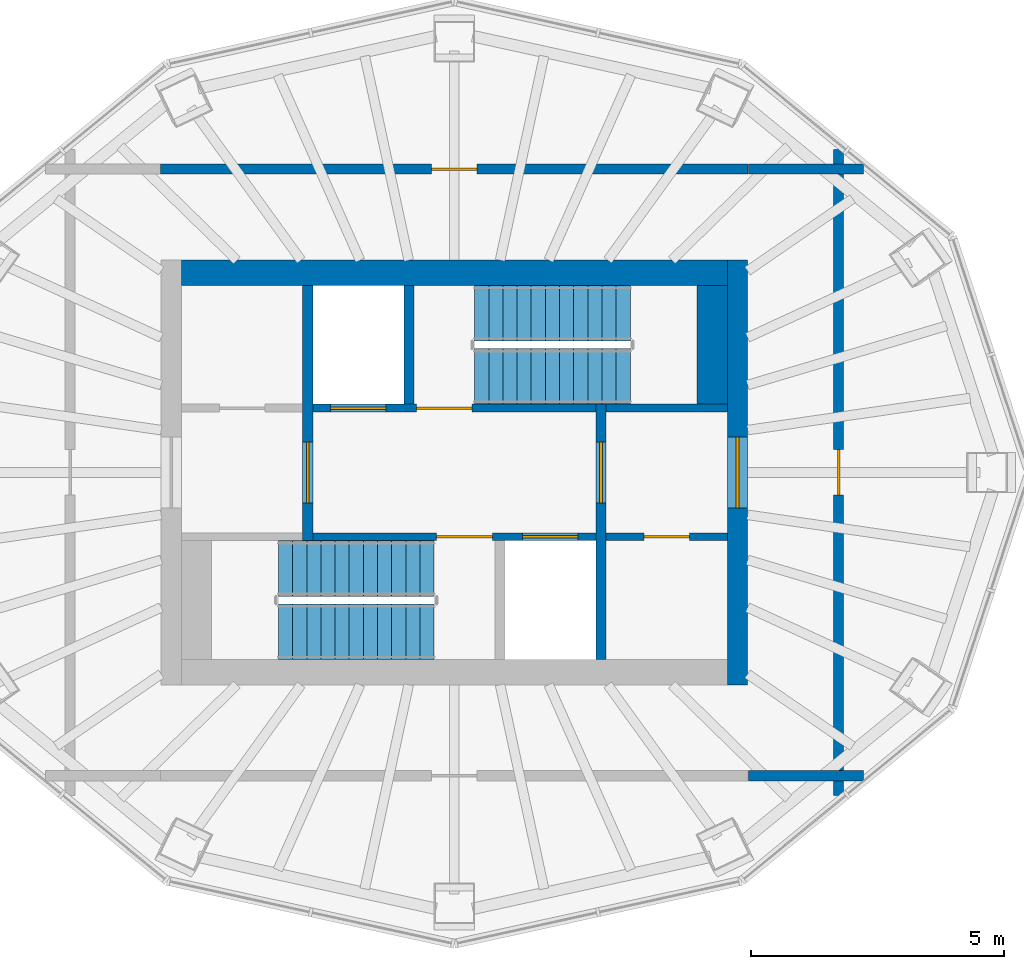
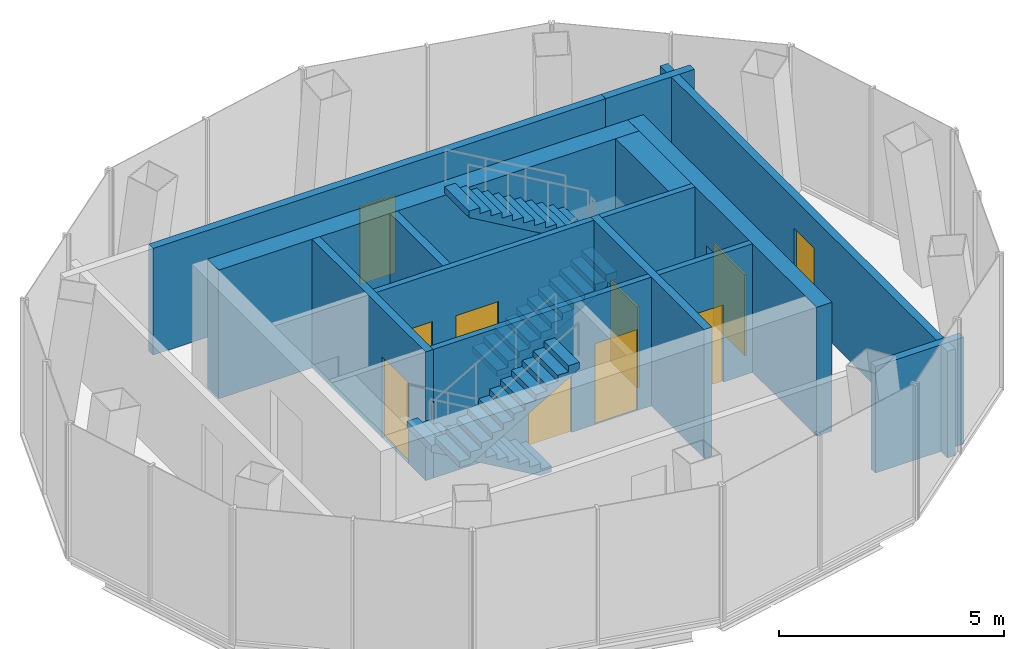
# One storey, part 4 of 5: 14 walls, 10 doors, 4 stair flights, 10 openings, 2 elements without a shape of their own.
"""IFC4 building model written with IfcOpenShell, lengths in metres."""

import ifcopenshell
import ifcopenshell.guid

model = None  # the IFC model being written
_history = None  # IfcOwnerHistory: only IFC2X3 demands one
_inside = {}  # id of a spatial element -> (the spatial element, [elements in it])
_under = {}  # id of a project, library or spatial element -> (it, [spatial elements below it])
_declared = {}  # id of a project -> (the project, [libraries it declares])
_typed = {}  # id of a type object -> (the type object, [elements of that type])
_made_of = {}  # id of a material, layer set ... -> (it, [elements and type objects made of it])


def new_model(schema):
    """Start an empty IFC model of exactly this schema.

    Asked for "IFC4X3", IfcOpenShell would pick the latest addendum, in which some entities
    have other attributes; the version numbers below select the first issue.
    IFC2X3 requires an IfcOwnerHistory on every rooted entity: one is made here for all.
    """
    global model, _history
    if schema == "IFC4X3":
        model = ifcopenshell.file(schema_version=(4, 3, 0, 0))
    else:
        model = ifcopenshell.file(schema=schema)
    _inside.clear()
    _under.clear()
    _declared.clear()
    _typed.clear()
    _made_of.clear()
    _history = None
    if model.schema == "IFC2X3":
        org = make("IfcOrganization", Name="unknown")
        user = make(
            "IfcPersonAndOrganization",
            ThePerson=make("IfcPerson", FamilyName="unknown"),
            TheOrganization=org,
        )
        app = make(
            "IfcApplication",
            ApplicationDeveloper=org,
            Version="unknown",
            ApplicationFullName="unknown",
            ApplicationIdentifier="unknown",
        )
        _history = make(
            "IfcOwnerHistory",
            OwningUser=user,
            OwningApplication=app,
            ChangeAction="ADDED",
            CreationDate=0,
        )
    return model


def make(cls, **values):
    """One entity of the class cls with the attributes given. An attribute that is None is left unset."""
    return model.create_entity(
        cls, **{name: value for name, value in values.items() if value is not None}
    )


def rooted(cls, **values):
    """An entity with a GlobalId (a new one), such as an element, a storey or a relation."""
    return make(cls, GlobalId=ifcopenshell.guid.new(), OwnerHistory=_history, **values)


def si_unit(unit_type, name, prefix=None):
    """IfcSIUnit, for example si_unit("LENGTHUNIT", "METRE", prefix="MILLI")."""
    return make("IfcSIUnit", UnitType=unit_type, Prefix=prefix, Name=name)


def assignment(units):
    """IfcUnitAssignment: the units of a project."""
    return None if units is None else make("IfcUnitAssignment", Units=units)


def point(xyz):
    """IfcCartesianPoint."""
    return None if xyz is None else make("IfcCartesianPoint", Coordinates=xyz)


def direction(xyz):
    """IfcDirection."""
    return None if xyz is None else make("IfcDirection", DirectionRatios=xyz)


def frame(location, z_axis=None, x_axis=None):
    """IfcAxis2Placement3D, a coordinate frame: its origin and axes. An axis left out is left unset."""
    return make(
        "IfcAxis2Placement3D",
        Location=point(location),
        Axis=direction(z_axis),
        RefDirection=direction(x_axis),
    )


def frame_2d(location, x_axis=None):
    """IfcAxis2Placement2D, a coordinate frame in the plane: its origin and x axis."""
    return make(
        "IfcAxis2Placement2D", Location=point(location), RefDirection=direction(x_axis)
    )


def origin():
    """The frame at (0, 0, 0) with its axes left unset."""
    return frame((0.0, 0.0, 0.0))


def place(relative_to, where):
    """IfcLocalPlacement: puts the frame where relative to a parent placement (None: the world)."""
    return make(
        "IfcLocalPlacement", PlacementRelTo=relative_to, RelativePlacement=where
    )


def context(
    kind, dimensions, precision=None, world=None, true_north=None, identifier=None
):
    """IfcGeometricRepresentationContext, for example the 3D "Model" context."""
    return make(
        "IfcGeometricRepresentationContext",
        ContextIdentifier=identifier,
        ContextType=kind,
        CoordinateSpaceDimension=dimensions,
        Precision=precision,
        WorldCoordinateSystem=world,
        TrueNorth=true_north,
    )


def subcontext(parent, identifier, kind, view, scale=None):
    """IfcGeometricRepresentationSubContext, for example "Body" below "Model"."""
    return make(
        "IfcGeometricRepresentationSubContext",
        ContextIdentifier=identifier,
        ContextType=kind,
        ParentContext=parent,
        TargetScale=scale,
        TargetView=view,
    )


def project(units=None, contexts=None):
    """IfcProject with its units and contexts."""
    return rooted(
        "IfcProject",
        Name="project",
        RepresentationContexts=contexts,
        UnitsInContext=assignment(units),
    )


def spatial(cls, under=None, at=None, **own):
    """A site, building, storey or space (cls), placed at a placement, below another one or the project."""
    s = rooted(cls, ObjectPlacement=at, **own)
    if under is not None:
        _under.setdefault(under.id(), (under, []))[1].append(s)
    return s


def polyline(points):
    """IfcPolyline through the points."""
    return make("IfcPolyline", Points=[point(p) for p in points])


def profile(cls, at=None, kind="AREA", **sizes):
    """A parametric profile (cls). Its sizes go by their IFC names, for example OverallWidth=200.0."""
    return make(cls, ProfileType=kind, Position=at, **sizes)


def rectangle(**sizes):
    """IfcRectangleProfileDef."""
    return profile("IfcRectangleProfileDef", **sizes)


def outline(outer, holes=None, kind="AREA"):
    """IfcArbitraryClosedProfileDef: a profile drawn as a closed curve; with holes, ...WithVoids."""
    if holes is None:
        return make("IfcArbitraryClosedProfileDef", ProfileType=kind, OuterCurve=outer)
    return make(
        "IfcArbitraryProfileDefWithVoids",
        ProfileType=kind,
        OuterCurve=outer,
        InnerCurves=holes,
    )


def extrude(swept, where, along, depth):
    """IfcExtrudedAreaSolid: the profile swept, set in the frame where, extruded along a direction by depth."""
    return make(
        "IfcExtrudedAreaSolid",
        SweptArea=swept,
        Position=where,
        ExtrudedDirection=direction(along),
        Depth=depth,
    )


def shape(context_of_items, identifier, shape_type, items):
    """IfcShapeRepresentation: the items that make up one representation, for example the "Body"."""
    return make(
        "IfcShapeRepresentation",
        ContextOfItems=context_of_items,
        RepresentationIdentifier=identifier,
        RepresentationType=shape_type,
        Items=items,
    )


def material(Name=None, Category=None):
    """IfcMaterial."""
    return make("IfcMaterial", Name=Name, Category=Category)


def layer(
    of_material, thickness, ventilated=None, Name=None, Category=None, Priority=None
):
    """IfcMaterialLayer: one layer of a wall or slab, of a material (None: an air gap)."""
    return make(
        "IfcMaterialLayer",
        Material=of_material,
        LayerThickness=thickness,
        IsVentilated=ventilated,
        Name=Name,
        Category=Category,
        Priority=Priority,
    )


def layer_set(layers, Name=None):
    """IfcMaterialLayerSet."""
    return make("IfcMaterialLayerSet", MaterialLayers=layers, LayerSetName=Name)


def made_of(thing, what):
    """Note that an element or type object is made of a material, layer set ...; save() writes the relation."""
    if what is not None:
        _made_of.setdefault(what.id(), (what, []))[1].append(thing)
    return thing


def type_object(cls, material=None, **own):
    """A type object (cls), such as IfcWallType, which elements share."""
    return made_of(rooted(cls, **own), material)


def element(
    cls,
    number,
    at=None,
    inside=None,
    cuts=None,
    type_object=None,
    material=None,
    context=None,
    identifier="Body",
    shape_type=None,
    held_by="IfcProductDefinitionShape",
    body=None,
    shapes=None,
    **own,
):
    """One element of the class cls, such as IfcWall. Its Tag is "e" and its number.

    at: its placement. inside: the storey or other place that contains it. cuts: it is an
    opening in that element (IfcRelVoidsElement). A single representation is given by context,
    identifier, shape_type and body (its items); several are given by shapes. held_by: the class
    of the entity that holds the representations. save() writes the other relations.
    """
    e = rooted(cls, Tag="e%d" % number, ObjectPlacement=at, **own)
    if body is not None:
        shapes = [shape(context, identifier, shape_type, body)]
    if shapes is not None:
        e.Representation = make(held_by, Representations=shapes)
    if inside is not None:
        _inside.setdefault(inside.id(), (inside, []))[1].append(e)
    if cuts is not None:
        rooted(
            "IfcRelVoidsElement", RelatingBuildingElement=cuts, RelatedOpeningElement=e
        )
    if type_object is not None:
        _typed.setdefault(type_object.id(), (type_object, []))[1].append(e)
    return made_of(e, material)


def fill(opening, filler):
    """IfcRelFillsElement: the door or window that sits in an opening."""
    return rooted(
        "IfcRelFillsElement",
        RelatingOpeningElement=opening,
        RelatedBuildingElement=filler,
    )


def aggregate(whole, parts):
    """IfcRelAggregates: a whole, such as a stair, and the parts it consists of."""
    return rooted("IfcRelAggregates", RelatingObject=whole, RelatedObjects=parts)


def save(model, path):
    """Write the relations noted so far, then the file.

    IfcRelAggregates (storeys below a building ...), IfcRelContainedInSpatialStructure (elements
    in a storey), IfcRelDefinesByType, IfcRelAssociatesMaterial and IfcRelDeclares: one each for
    every whole, place, type object, material and project.
    """
    for whole, parts in _under.values():
        aggregate(whole, parts)
    for where, things in _inside.values():
        rooted(
            "IfcRelContainedInSpatialStructure",
            RelatedElements=things,
            RelatingStructure=where,
        )
    for kind, things in _typed.values():
        rooted("IfcRelDefinesByType", RelatedObjects=things, RelatingType=kind)
    for what, things in _made_of.values():
        rooted("IfcRelAssociatesMaterial", RelatedObjects=things, RelatingMaterial=what)
    for by, libraries in _declared.values():
        rooted("IfcRelDeclares", RelatingContext=by, RelatedDefinitions=libraries)
    model.write(path)


model = new_model("IFC4")

# Units and contexts
model_context = context("Model", 3, precision=1e-05, world=origin(), true_north=direction((0.0, 1.0)))
body_context = subcontext(model_context, "Body", "Model", "MODEL_VIEW")
ifc_project = project(units=[si_unit("LENGTHUNIT", "METRE"), si_unit("AREAUNIT", "SQUARE_METRE"), si_unit("VOLUMEUNIT", "CUBIC_METRE"), si_unit("PLANEANGLEUNIT", "RADIAN"), si_unit("MASSUNIT", "GRAM", prefix="KILO")], contexts=[model_context])

# Site, building, storey
site_placement = place(None, origin())
site = spatial("IfcSite", under=ifc_project, at=site_placement, CompositionType="ELEMENT")
building_placement = place(site_placement, origin())
building = spatial("IfcBuilding", under=site, at=building_placement, Name="Siaravel Broadcast Tower", CompositionType="ELEMENT")
storey_placement = place(building_placement, frame((0.0, 0.0, 284.300048828125)))
storey = spatial("IfcBuildingStorey", under=building, at=storey_placement, Name="L69", CompositionType="ELEMENT", Elevation=284.300048828125)

# Wall, opening, door
ifc_material_1 = material(Name="Concrete C60/75", Category="concrete")
ifc_layer_1 = layer(ifc_material_1, 0.39990234375)
ifc_layer_set_1 = layer_set([ifc_layer_1], Name="Concrete C60/75")
wall_type_1 = type_object("IfcWallType", Name="Core wall 400", PredefinedType="SHEAR", material=ifc_layer_set_1)
wall_1_placement = place(storey_placement, frame((5.60009765625, -4.199951171875, 0.0), z_axis=(0.0, 0.0, 1.0), x_axis=(0.0, 1.0, 0.0)))
wall_1 = element("IfcWall", 1, at=wall_1_placement, inside=storey, type_object=wall_type_1, Name="L69 core wall OE", PredefinedType="SHEAR", context=body_context, shape_type="SweptSolid", body=[
    extrude(rectangle(XDim=8.39990234375, YDim=0.39990234375, at=frame_2d((4.199951171875, 0.0))), origin(), (0.0, 0.0, 1.0), 3.5),
])
opening_1_placement = place(wall_1_placement, frame((3.5, 0.0, 0.0)))
opening_1 = element("IfcOpeningElement", 2, at=opening_1_placement, cuts=wall_1, Name="Opening L69-DX-E", PredefinedType="OPENING", context=body_context, shape_type="SweptSolid", body=[
    extrude(rectangle(XDim=1.39990234375, YDim=2.199951171875, at=frame_2d((0.699951171875, 1.10009765625))), frame((0.0, 0.2099609375, 0.0), z_axis=(0.0, -1.0, 0.0), x_axis=(1.0, 0.0, 0.0)), (0.0, 0.0, 1.0), 0.419921875),
])
ifc_material_2 = material(Name="Steel", Category="steel")
door_type_1 = type_object("IfcDoorType", Name="Core exit door 1400", OperationType="DOUBLE_DOOR_SINGLE_SWING", PredefinedType="DOOR", material=ifc_material_2)
door_1_placement = place(opening_1_placement, origin())
door_1 = element("IfcDoor", 3, at=door_1_placement, inside=storey, type_object=door_type_1, Name="L69 door DX-E", OperationType="DOUBLE_DOOR_SINGLE_SWING", OverallHeight=2.199951171875, OverallWidth=1.39990234375, PredefinedType="DOOR", context=body_context, shape_type="SweptSolid", body=[
    extrude(rectangle(XDim=1.39990234375, YDim=2.199951171875, at=frame_2d((0.699951171875, 1.10009765625))), frame((0.0, 0.02490234375, 0.0), z_axis=(0.0, -1.0, 0.0), x_axis=(1.0, 0.0, 0.0)), (0.0, 0.0, 1.0), 0.050048828125),
])
fill(opening_1, door_1)

# Wall
ifc_layer_2 = layer(ifc_material_1, 0.5)
ifc_layer_set_2 = layer_set([ifc_layer_2], Name="Concrete C60/75")
wall_type_2 = type_object("IfcWallType", Name="Core wall 500", PredefinedType="SHEAR", material=ifc_layer_set_2)
wall_2_placement = place(storey_placement, frame((-5.39990234375, 3.949951171875, 0.0), z_axis=(0.0, 0.0, 1.0), x_axis=(1.0, 0.0, 0.0)))
element("IfcWall", 4, at=wall_2_placement, inside=storey, type_object=wall_type_2, Name="L69 core wall ON", PredefinedType="SHEAR", context=body_context, shape_type="SweptSolid", body=[
    extrude(rectangle(XDim=10.7998046875, YDim=0.5, at=frame_2d((5.39990234375, 0.0))), origin(), (0.0, 0.0, 1.0), 3.5),
])

# Wall, opening, door
ifc_material_3 = material(Name="Gypsum board partition", Category="gypsum")
ifc_layer_3 = layer(ifc_material_3, 0.14990234375)
ifc_layer_set_3 = layer_set([ifc_layer_3], Name="Gypsum board partition")
wall_type_3 = type_object("IfcWallType", Name="Corridor wall 150", PredefinedType="PARTITIONING", material=ifc_layer_set_3)
wall_3_placement = place(storey_placement, frame((3.0, -1.27490234375, 0.0), z_axis=(0.0, 0.0, 1.0), x_axis=(1.0, 0.0, 0.0)))
wall_3 = element("IfcWall", 5, at=wall_3_placement, inside=storey, type_object=wall_type_3, Name="L69 core partition CSE", PredefinedType="PARTITIONING", context=body_context, shape_type="SweptSolid", body=[
    extrude(rectangle(XDim=2.39990234375, YDim=0.14990234375, at=frame_2d((1.199951171875, 0.0))), origin(), (0.0, 0.0, 1.0), 3.5),
])
opening_2_placement = place(wall_3_placement, frame((0.75, 0.0, 0.0)))
opening_2 = element("IfcOpeningElement", 6, at=opening_2_placement, cuts=wall_3, Name="Opening L69-DCSE", PredefinedType="OPENING", context=body_context, shape_type="SweptSolid", body=[
    extrude(rectangle(XDim=0.89990234375, YDim=2.10009765625, at=frame_2d((0.449951171875, 1.050048828125))), frame((0.0, 0.0849609375, 0.0), z_axis=(0.0, -1.0, 0.0), x_axis=(1.0, 0.0, 0.0)), (0.0, 0.0, 1.0), 0.169921875),
])
ifc_material_4 = material(Name="Timber veneer", Category="wood")
door_type_2 = type_object("IfcDoorType", Name="Core room door 900", OperationType="SINGLE_SWING_LEFT", PredefinedType="DOOR", material=ifc_material_4)
door_2_placement = place(opening_2_placement, origin())
door_2 = element("IfcDoor", 7, at=door_2_placement, inside=storey, type_object=door_type_2, Name="L69 door DCSE", OperationType="SINGLE_SWING_LEFT", OverallHeight=2.10009765625, OverallWidth=0.89990234375, PredefinedType="DOOR", context=body_context, shape_type="SweptSolid", body=[
    extrude(rectangle(XDim=0.89990234375, YDim=2.10009765625, at=frame_2d((0.449951171875, 1.050048828125))), frame((0.0, 0.02490234375, 0.0), z_axis=(0.0, -1.0, 0.0), x_axis=(1.0, 0.0, 0.0)), (0.0, 0.0, 1.0), 0.050048828125),
])
fill(opening_2, door_2)

ifc_material_5 = material(Name="Concrete blockwork", Category="masonry")
ifc_layer_4 = layer(ifc_material_5, 0.199951171875)
ifc_layer_set_4 = layer_set([ifc_layer_4], Name="Concrete blockwork")
wall_type_4 = type_object("IfcWallType", Name="Plant room wall 200", PredefinedType="PARTITIONING", material=ifc_layer_set_4)
wall_4_placement = place(storey_placement, frame((7.60009765625, -6.393310546875, 0.0), z_axis=(0.0, 0.0, 1.0), x_axis=(0.0, 1.0, 0.0)))
wall_4 = element("IfcWall", 8, at=wall_4_placement, inside=storey, type_object=wall_type_4, Name="L69 partition 2", PredefinedType="PARTITIONING", context=body_context, shape_type="SweptSolid", body=[
    extrude(rectangle(XDim=12.78662109375, YDim=0.199951171875, at=frame_2d((6.393310546875, 0.0))), origin(), (0.0, 0.0, 1.0), 2.89990234375),
])
opening_3_placement = place(wall_4_placement, frame((5.943359375, 0.0, 0.0)))
opening_3 = element("IfcOpeningElement", 9, at=opening_3_placement, cuts=wall_4, Name="Opening L69-002", PredefinedType="OPENING", context=body_context, shape_type="SweptSolid", body=[
    extrude(rectangle(XDim=0.89990234375, YDim=2.10009765625, at=frame_2d((0.449951171875, 1.050048828125))), frame((0.0, 0.10986328125, 0.0), z_axis=(0.0, -1.0, 0.0), x_axis=(1.0, 0.0, 0.0)), (0.0, 0.0, 1.0), 0.219970703125),
])
door_type_3 = type_object("IfcDoorType", Name="Plant room door 900", OperationType="SINGLE_SWING_LEFT", PredefinedType="DOOR", material=ifc_material_2)
door_3_placement = place(opening_3_placement, origin())
door_3 = element("IfcDoor", 10, at=door_3_placement, inside=storey, type_object=door_type_3, Name="L69 door to Broadcast antenna plant room", OperationType="SINGLE_SWING_RIGHT", OverallHeight=2.10009765625, OverallWidth=0.89990234375, PredefinedType="DOOR", context=body_context, shape_type="SweptSolid", body=[
    extrude(rectangle(XDim=0.89990234375, YDim=2.10009765625, at=frame_2d((0.449951171875, 1.050048828125))), frame((0.0, 0.02490234375, 0.0), z_axis=(0.0, -1.0, 0.0), x_axis=(1.0, 0.0, 0.0)), (0.0, 0.0, 1.0), 0.050048828125),
])
fill(opening_3, door_3)

wall_5_placement = place(storey_placement, frame((5.81201171875, 6.0, 0.0), z_axis=(0.0, 0.0, 1.0), x_axis=(-1.0, 0.0, 0.0)))
wall_5 = element("IfcWall", 11, at=wall_5_placement, inside=storey, type_object=wall_type_4, Name="L69 partition 4", PredefinedType="PARTITIONING", context=body_context, shape_type="SweptSolid", body=[
    extrude(rectangle(XDim=11.6240234375, YDim=0.199951171875, at=frame_2d((5.81201171875, 0.0))), origin(), (0.0, 0.0, 1.0), 2.89990234375),
])
opening_4_placement = place(wall_5_placement, frame((5.362060546875, 0.0, 0.0)))
opening_4 = element("IfcOpeningElement", 12, at=opening_4_placement, cuts=wall_5, Name="Opening L69-003", PredefinedType="OPENING", context=body_context, shape_type="SweptSolid", body=[
    extrude(rectangle(XDim=0.89990234375, YDim=2.10009765625, at=frame_2d((0.449951171875, 1.050048828125))), frame((0.0, 0.10986328125, 0.0), z_axis=(0.0, -1.0, 0.0), x_axis=(1.0, 0.0, 0.0)), (0.0, 0.0, 1.0), 0.219970703125),
])
door_4_placement = place(opening_4_placement, origin())
door_4 = element("IfcDoor", 13, at=door_4_placement, inside=storey, type_object=door_type_3, Name="L69 door to Air handling plant room", OperationType="SINGLE_SWING_LEFT", OverallHeight=2.10009765625, OverallWidth=0.89990234375, PredefinedType="DOOR", context=body_context, shape_type="SweptSolid", body=[
    extrude(rectangle(XDim=0.89990234375, YDim=2.10009765625, at=frame_2d((0.449951171875, 1.050048828125))), frame((0.0, 0.02490234375, 0.0), z_axis=(0.0, -1.0, 0.0), x_axis=(1.0, 0.0, 0.0)), (0.0, 0.0, 1.0), 0.050048828125),
])
fill(opening_4, door_4)

# Walls
for number, where, z_axis, x_axis, name in (
    (14, (5.81298828125, -6.0, 0.0), (0.0, 0.0, 1.0), (1.0, 0.0, 0.0), "L69 partition 7"),
    (15, (8.09130859375, 6.0, 0.0), (0.0, 0.0, 1.0), (-1.0, 0.0, 0.0), "L69 partition 8"),
):
    element("IfcWall", number, at=place(storey_placement, frame(where, z_axis=z_axis, x_axis=x_axis)), inside=storey, type_object=wall_type_4, Name=name, PredefinedType="PARTITIONING", context=body_context, shape_type="SweptSolid", body=[
        extrude(rectangle(XDim=2.2783203125, YDim=0.199951171875, at=frame_2d((1.13916015625, 0.0))), origin(), (0.0, 0.0, 1.0), 2.89990234375),
    ])

# Wall, openings, doors
ifc_layer_5 = layer(ifc_material_1, 0.14990234375)
ifc_layer_set_5 = layer_set([ifc_layer_5], Name="Concrete C60/75")
wall_type_5 = type_object("IfcWallType", Name="Shaft wall 150", PredefinedType="SHEAR", material=ifc_layer_set_5)
wall_6_placement = place(storey_placement, frame((-2.800048828125, -1.27490234375, 0.0), z_axis=(0.0, 0.0, 1.0), x_axis=(1.0, 0.0, 0.0)))
wall_6 = element("IfcWall", 16, at=wall_6_placement, inside=storey, type_object=wall_type_5, Name="L69 core wall CSM", PredefinedType="SHEAR", context=body_context, shape_type="SweptSolid", body=[
    extrude(rectangle(XDim=5.60009765625, YDim=0.14990234375, at=frame_2d((2.800048828125, 0.0))), origin(), (0.0, 0.0, 1.0), 3.5),
])
opening_5_placement = place(wall_6_placement, frame((4.14990234375, 0.0, 0.0)))
opening_5 = element("IfcOpeningElement", 17, at=opening_5_placement, cuts=wall_6, Name="Opening LD-FL2-L69", PredefinedType="OPENING", context=body_context, shape_type="SweptSolid", body=[
    extrude(rectangle(XDim=1.10009765625, YDim=2.199951171875, at=frame_2d((0.550048828125, 1.10009765625))), frame((0.0, 0.0849609375, 0.0), z_axis=(0.0, -1.0, 0.0), x_axis=(1.0, 0.0, 0.0)), (0.0, 0.0, 1.0), 0.169921875),
])
opening_6_placement = place(wall_6_placement, frame((2.449951171875, 0.0, 0.0)))
opening_6 = element("IfcOpeningElement", 18, at=opening_6_placement, cuts=wall_6, Name="Opening L69-DS-C2", PredefinedType="OPENING", context=body_context, shape_type="SweptSolid", body=[
    extrude(rectangle(XDim=1.10009765625, YDim=2.14990234375, at=frame_2d((0.550048828125, 1.074951171875))), frame((0.0, 0.0849609375, 0.0), z_axis=(0.0, -1.0, 0.0), x_axis=(1.0, 0.0, 0.0)), (0.0, 0.0, 1.0), 0.169921875),
])
ifc_material_6 = material(Name="Stainless steel 316L", Category="steel")
door_type_4 = type_object("IfcDoorType", Name="Firefighting lift landing door 1100", OperationType="DOUBLE_DOOR_SLIDING", PredefinedType="DOOR", material=ifc_material_6)
door_5_placement = place(opening_5_placement, origin())
door_5 = element("IfcDoor", 19, at=door_5_placement, inside=storey, type_object=door_type_4, Name="Landing door FL2 L69", OperationType="DOUBLE_DOOR_SLIDING", OverallHeight=2.199951171875, OverallWidth=1.10009765625, PredefinedType="DOOR", context=body_context, shape_type="SweptSolid", body=[
    extrude(rectangle(XDim=1.10009765625, YDim=2.199951171875, at=frame_2d((0.550048828125, 1.10009765625))), frame((0.0, 0.02490234375, 0.0), z_axis=(0.0, -1.0, 0.0), x_axis=(1.0, 0.0, 0.0)), (0.0, 0.0, 1.0), 0.050048828125),
])
fill(opening_5, door_5)
door_type_5 = type_object("IfcDoorType", Name="Stair door 1100", OperationType="SINGLE_SWING_LEFT", PredefinedType="DOOR", material=ifc_material_2)
door_6_placement = place(opening_6_placement, origin())
door_6 = element("IfcDoor", 20, at=door_6_placement, inside=storey, type_object=door_type_5, Name="L69 door DS-C2", OperationType="SINGLE_SWING_LEFT", OverallHeight=2.14990234375, OverallWidth=1.10009765625, PredefinedType="DOOR", context=body_context, shape_type="SweptSolid", body=[
    extrude(rectangle(XDim=1.10009765625, YDim=2.14990234375, at=frame_2d((0.550048828125, 1.074951171875))), frame((0.0, 0.02490234375, 0.0), z_axis=(0.0, -1.0, 0.0), x_axis=(1.0, 0.0, 0.0)), (0.0, 0.0, 1.0), 0.050048828125),
])
fill(opening_6, door_6)

wall_7_placement = place(storey_placement, frame((-2.800048828125, 1.27490234375, 0.0), z_axis=(0.0, 0.0, 1.0), x_axis=(1.0, 0.0, 0.0)))
wall_7 = element("IfcWall", 21, at=wall_7_placement, inside=storey, type_object=wall_type_5, Name="L69 core wall CNM", PredefinedType="SHEAR", context=body_context, shape_type="SweptSolid", body=[
    extrude(rectangle(XDim=5.60009765625, YDim=0.14990234375, at=frame_2d((2.800048828125, 0.0))), origin(), (0.0, 0.0, 1.0), 3.5),
])
opening_7_placement = place(wall_7_placement, frame((0.35009765625, 0.0, 0.0)))
opening_7 = element("IfcOpeningElement", 22, at=opening_7_placement, cuts=wall_7, Name="Opening LD-FL1-L69", PredefinedType="OPENING", context=body_context, shape_type="SweptSolid", body=[
    extrude(rectangle(XDim=1.10009765625, YDim=2.199951171875, at=frame_2d((0.550048828125, 1.10009765625))), frame((0.0, 0.0849609375, 0.0), z_axis=(0.0, -1.0, 0.0), x_axis=(1.0, 0.0, 0.0)), (0.0, 0.0, 1.0), 0.169921875),
])
opening_8_placement = place(wall_7_placement, frame((2.050048828125, 0.0, 0.0)))
opening_8 = element("IfcOpeningElement", 23, at=opening_8_placement, cuts=wall_7, Name="Opening L69-DS-C1", PredefinedType="OPENING", context=body_context, shape_type="SweptSolid", body=[
    extrude(rectangle(XDim=1.10009765625, YDim=2.14990234375, at=frame_2d((0.550048828125, 1.074951171875))), frame((0.0, 0.0849609375, 0.0), z_axis=(0.0, -1.0, 0.0), x_axis=(1.0, 0.0, 0.0)), (0.0, 0.0, 1.0), 0.169921875),
])
door_7_placement = place(opening_7_placement, origin())
door_7 = element("IfcDoor", 24, at=door_7_placement, inside=storey, type_object=door_type_4, Name="Landing door FL1 L69", OperationType="DOUBLE_DOOR_SLIDING", OverallHeight=2.199951171875, OverallWidth=1.10009765625, PredefinedType="DOOR", context=body_context, shape_type="SweptSolid", body=[
    extrude(rectangle(XDim=1.10009765625, YDim=2.199951171875, at=frame_2d((0.550048828125, 1.10009765625))), frame((0.0, 0.02490234375, 0.0), z_axis=(0.0, -1.0, 0.0), x_axis=(1.0, 0.0, 0.0)), (0.0, 0.0, 1.0), 0.050048828125),
])
fill(opening_7, door_7)
door_8_placement = place(opening_8_placement, origin())
door_8 = element("IfcDoor", 25, at=door_8_placement, inside=storey, type_object=door_type_5, Name="L69 door DS-C1", OperationType="SINGLE_SWING_LEFT", OverallHeight=2.14990234375, OverallWidth=1.10009765625, PredefinedType="DOOR", context=body_context, shape_type="SweptSolid", body=[
    extrude(rectangle(XDim=1.10009765625, YDim=2.14990234375, at=frame_2d((0.550048828125, 1.074951171875))), frame((0.0, 0.02490234375, 0.0), z_axis=(0.0, -1.0, 0.0), x_axis=(1.0, 0.0, 0.0)), (0.0, 0.0, 1.0), 0.050048828125),
])
fill(opening_8, door_8)

# Wall
wall_8_placement = place(storey_placement, frame((3.0, 1.27490234375, 0.0), z_axis=(0.0, 0.0, 1.0), x_axis=(1.0, 0.0, 0.0)))
element("IfcWall", 26, at=wall_8_placement, inside=storey, type_object=wall_type_5, Name="L69 core wall CNE", PredefinedType="SHEAR", context=body_context, shape_type="SweptSolid", body=[
    extrude(rectangle(XDim=2.39990234375, YDim=0.14990234375, at=frame_2d((1.199951171875, 0.0))), origin(), (0.0, 0.0, 1.0), 3.5),
])

# Wall, opening, door
ifc_layer_6 = layer(ifc_material_1, 0.199951171875)
ifc_layer_set_6 = layer_set([ifc_layer_6], Name="Concrete C60/75")
wall_type_6 = type_object("IfcWallType", Name="Shaft wall 200", PredefinedType="SHEAR", material=ifc_layer_set_6)
wall_9_placement = place(storey_placement, frame((-2.89990234375, -1.35009765625, 0.0), z_axis=(0.0, 0.0, 1.0), x_axis=(0.0, 1.0, 0.0)))
wall_9 = element("IfcWall", 27, at=wall_9_placement, inside=storey, type_object=wall_type_6, Name="L69 core wall LW", PredefinedType="SHEAR", context=body_context, shape_type="SweptSolid", body=[
    extrude(rectangle(XDim=5.050048828125, YDim=0.199951171875, at=frame_2d((2.52490234375, 0.0))), origin(), (0.0, 0.0, 1.0), 3.5),
])
opening_9_placement = place(wall_9_placement, frame((0.75, 0.0, 0.0)))
opening_9 = element("IfcOpeningElement", 28, at=opening_9_placement, cuts=wall_9, Name="Opening L69-DL-W", PredefinedType="OPENING", context=body_context, shape_type="SweptSolid", body=[
    extrude(rectangle(XDim=1.199951171875, YDim=2.199951171875, at=frame_2d((0.60009765625, 1.10009765625))), frame((0.0, 0.10986328125, 0.0), z_axis=(0.0, -1.0, 0.0), x_axis=(1.0, 0.0, 0.0)), (0.0, 0.0, 1.0), 0.219970703125),
])
door_type_6 = type_object("IfcDoorType", Name="Firefighting lobby door 1200", OperationType="SINGLE_SWING_LEFT", PredefinedType="DOOR", material=ifc_material_2)
door_9_placement = place(opening_9_placement, origin())
door_9 = element("IfcDoor", 29, at=door_9_placement, inside=storey, type_object=door_type_6, Name="L69 door DL-W", OperationType="SINGLE_SWING_LEFT", OverallHeight=2.199951171875, OverallWidth=1.199951171875, PredefinedType="DOOR", context=body_context, shape_type="SweptSolid", body=[
    extrude(rectangle(XDim=1.199951171875, YDim=2.199951171875, at=frame_2d((0.60009765625, 1.10009765625))), frame((0.0, 0.02490234375, 0.0), z_axis=(0.0, -1.0, 0.0), x_axis=(1.0, 0.0, 0.0)), (0.0, 0.0, 1.0), 0.050048828125),
])
fill(opening_9, door_9)

wall_10_placement = place(storey_placement, frame((2.89990234375, -3.699951171875, 0.0), z_axis=(0.0, 0.0, 1.0), x_axis=(0.0, 1.0, 0.0)))
wall_10 = element("IfcWall", 30, at=wall_10_placement, inside=storey, type_object=wall_type_6, Name="L69 core wall LE", PredefinedType="SHEAR", context=body_context, shape_type="SweptSolid", body=[
    extrude(rectangle(XDim=5.050048828125, YDim=0.199951171875, at=frame_2d((2.52490234375, 0.0))), origin(), (0.0, 0.0, 1.0), 3.5),
])
opening_10_placement = place(wall_10_placement, frame((3.10009765625, 0.0, 0.0)))
opening_10 = element("IfcOpeningElement", 31, at=opening_10_placement, cuts=wall_10, Name="Opening L69-DL-E", PredefinedType="OPENING", context=body_context, shape_type="SweptSolid", body=[
    extrude(rectangle(XDim=1.199951171875, YDim=2.199951171875, at=frame_2d((0.60009765625, 1.10009765625))), frame((0.0, 0.10986328125, 0.0), z_axis=(0.0, -1.0, 0.0), x_axis=(1.0, 0.0, 0.0)), (0.0, 0.0, 1.0), 0.219970703125),
])
door_10_placement = place(opening_10_placement, origin())
door_10 = element("IfcDoor", 32, at=door_10_placement, inside=storey, type_object=door_type_6, Name="L69 door DL-E", OperationType="SINGLE_SWING_LEFT", OverallHeight=2.199951171875, OverallWidth=1.199951171875, PredefinedType="DOOR", context=body_context, shape_type="SweptSolid", body=[
    extrude(rectangle(XDim=1.199951171875, YDim=2.199951171875, at=frame_2d((0.60009765625, 1.10009765625))), frame((0.0, 0.02490234375, 0.0), z_axis=(0.0, -1.0, 0.0), x_axis=(1.0, 0.0, 0.0)), (0.0, 0.0, 1.0), 0.050048828125),
])
fill(opening_10, door_10)

# Walls
wall_11_placement = place(storey_placement, frame((-0.89990234375, 1.35009765625, 0.0), z_axis=(0.0, 0.0, 1.0), x_axis=(0.0, 1.0, 0.0)))
element("IfcWall", 33, at=wall_11_placement, inside=storey, type_object=wall_type_6, Name="L69 core wall FF1E", PredefinedType="SHEAR", context=body_context, shape_type="SweptSolid", body=[
    extrude(rectangle(XDim=2.349853515625, YDim=0.199951171875, at=frame_2d((1.1748046875, 0.0))), origin(), (0.0, 0.0, 1.0), 3.5),
])
ifc_layer_7 = layer(ifc_material_1, 0.60009765625)
ifc_layer_set_7 = layer_set([ifc_layer_7], Name="Concrete C60/75")
wall_type_7 = type_object("IfcWallType", Name="Shaft wall 600", PredefinedType="SHEAR", material=ifc_layer_set_7)
wall_12_placement = place(storey_placement, frame((5.10009765625, 1.35009765625, 0.0), z_axis=(0.0, 0.0, 1.0), x_axis=(0.0, 1.0, 0.0)))
element("IfcWall", 34, at=wall_12_placement, inside=storey, type_object=wall_type_7, Name="L69 core wall STCE", PredefinedType="SHEAR", context=body_context, shape_type="SweptSolid", body=[
    extrude(rectangle(XDim=2.349853515625, YDim=0.60009765625, at=frame_2d((1.1748046875, 0.0))), origin(), (0.0, 0.0, 1.0), 3.5),
])

# Stair, stair flights
ifc_material_7 = material(Name="Concrete C40/50", Category="concrete")
stair_type = type_object("IfcStairType", Name="Core exit stair", PredefinedType="HALF_TURN_STAIR", material=ifc_material_7)
stair_1_placement = place(storey_placement, origin())
stair_1 = element("IfcStair", 35, at=stair_1_placement, inside=storey, type_object=stair_type, Name="L69 Exit stair ST-C1", PredefinedType="HALF_TURN_STAIR")
stair_flight_type = type_object("IfcStairFlightType", Name="Stair flight 1100", PredefinedType="STRAIGHT", material=ifc_material_7)
stair_flight_1_placement = place(storey_placement, frame((0.39990234375, 1.89990234375, 0.0), z_axis=(0.0, 0.0, 1.0), x_axis=(1.0, 0.0, 0.0)))
stair_flight_1 = element("IfcStairFlight", 36, at=stair_flight_1_placement, type_object=stair_flight_type, Name="ST-C1 flight 1", NumberOfRisers=12, NumberOfTreads=11, PredefinedType="STRAIGHT", RiserHeight=0.1625, TreadLength=0.28, context=body_context, shape_type="SweptSolid", body=[
    extrude(outline(polyline([(0.0, 0.0), (0.0, 0.16259765625), (0.280029296875, 0.16259765625), (0.280029296875, 0.324951171875), (0.56005859375, 0.324951171875), (0.56005859375, 0.487548828125), (0.840087890625, 0.487548828125), (0.840087890625, 0.64990234375), (1.1201171875, 0.64990234375), (1.1201171875, 0.8125), (1.39990234375, 0.8125), (1.39990234375, 0.97509765625), (1.679931640625, 0.97509765625), (1.679931640625, 1.137451171875), (1.9599609375, 1.137451171875), (1.9599609375, 1.300048828125), (2.239990234375, 1.300048828125), (2.239990234375, 1.46240234375), (2.52001953125, 1.46240234375), (2.52001953125, 1.625), (2.800048828125, 1.625), (2.800048828125, 1.78759765625), (3.080078125, 1.78759765625), (3.080078125, 1.949951171875), (3.080078125, 1.6142578125), (0.298583984375, 0.0), (0.0, 0.0)])), frame((0.0, 0.550048828125, 0.0), z_axis=(0.0, -1.0, 0.0), x_axis=(1.0, 0.0, 0.0)), (0.0, 0.0, 1.0), 1.10009765625),
])
stair_flight_2_placement = place(storey_placement, frame((3.47998046875, 3.14990234375, 1.949951171875), z_axis=(0.0, 0.0, 1.0), x_axis=(-1.0, 0.0, 0.0)))
stair_flight_2 = element("IfcStairFlight", 37, at=stair_flight_2_placement, type_object=stair_flight_type, Name="ST-C1 flight 2", NumberOfRisers=12, NumberOfTreads=11, PredefinedType="STRAIGHT", RiserHeight=0.1625, TreadLength=0.28, context=body_context, shape_type="SweptSolid", body=[
    extrude(outline(polyline([(0.0, 0.0), (0.0, 0.16259765625), (0.280029296875, 0.16259765625), (0.280029296875, 0.324951171875), (0.56005859375, 0.324951171875), (0.56005859375, 0.487548828125), (0.840087890625, 0.487548828125), (0.840087890625, 0.64990234375), (1.1201171875, 0.64990234375), (1.1201171875, 0.8125), (1.39990234375, 0.8125), (1.39990234375, 0.97509765625), (1.679931640625, 0.97509765625), (1.679931640625, 1.137451171875), (1.9599609375, 1.137451171875), (1.9599609375, 1.300048828125), (2.239990234375, 1.300048828125), (2.239990234375, 1.46240234375), (2.52001953125, 1.46240234375), (2.52001953125, 1.625), (2.800048828125, 1.625), (2.800048828125, 1.78759765625), (3.080078125, 1.78759765625), (3.080078125, 1.949951171875), (3.080078125, 1.6142578125), (0.298583984375, 0.0), (0.0, 0.0)])), frame((0.0, 0.550048828125, 0.0), z_axis=(0.0, -1.0, 0.0), x_axis=(1.0, 0.0, 0.0)), (0.0, 0.0, 1.0), 1.10009765625),
])
aggregate(stair_1, [stair_flight_1, stair_flight_2])

stair_2_placement = place(storey_placement, origin())
stair_2 = element("IfcStair", 38, at=stair_2_placement, inside=storey, type_object=stair_type, Name="L69 Exit stair ST-C2", PredefinedType="HALF_TURN_STAIR")
stair_flight_3_placement = place(storey_placement, frame((-0.39990234375, -1.89990234375, 0.0), z_axis=(0.0, 0.0, 1.0), x_axis=(-1.0, 0.0, 0.0)))
stair_flight_3 = element("IfcStairFlight", 39, at=stair_flight_3_placement, type_object=stair_flight_type, Name="ST-C2 flight 1", NumberOfRisers=12, NumberOfTreads=11, PredefinedType="STRAIGHT", RiserHeight=0.1625, TreadLength=0.28, context=body_context, shape_type="SweptSolid", body=[
    extrude(outline(polyline([(0.0, 0.0), (0.0, 0.16259765625), (0.280029296875, 0.16259765625), (0.280029296875, 0.324951171875), (0.56005859375, 0.324951171875), (0.56005859375, 0.487548828125), (0.840087890625, 0.487548828125), (0.840087890625, 0.64990234375), (1.1201171875, 0.64990234375), (1.1201171875, 0.8125), (1.39990234375, 0.8125), (1.39990234375, 0.97509765625), (1.679931640625, 0.97509765625), (1.679931640625, 1.137451171875), (1.9599609375, 1.137451171875), (1.9599609375, 1.300048828125), (2.239990234375, 1.300048828125), (2.239990234375, 1.46240234375), (2.52001953125, 1.46240234375), (2.52001953125, 1.625), (2.800048828125, 1.625), (2.800048828125, 1.78759765625), (3.080078125, 1.78759765625), (3.080078125, 1.949951171875), (3.080078125, 1.6142578125), (0.298583984375, 0.0), (0.0, 0.0)])), frame((0.0, 0.550048828125, 0.0), z_axis=(0.0, -1.0, 0.0), x_axis=(1.0, 0.0, 0.0)), (0.0, 0.0, 1.0), 1.10009765625),
])
stair_flight_4_placement = place(storey_placement, frame((-3.47998046875, -3.14990234375, 1.949951171875), z_axis=(0.0, 0.0, 1.0), x_axis=(1.0, 0.0, 0.0)))
stair_flight_4 = element("IfcStairFlight", 40, at=stair_flight_4_placement, type_object=stair_flight_type, Name="ST-C2 flight 2", NumberOfRisers=12, NumberOfTreads=11, PredefinedType="STRAIGHT", RiserHeight=0.1625, TreadLength=0.28, context=body_context, shape_type="SweptSolid", body=[
    extrude(outline(polyline([(0.0, 0.0), (0.0, 0.16259765625), (0.280029296875, 0.16259765625), (0.280029296875, 0.324951171875), (0.56005859375, 0.324951171875), (0.56005859375, 0.487548828125), (0.840087890625, 0.487548828125), (0.840087890625, 0.64990234375), (1.1201171875, 0.64990234375), (1.1201171875, 0.8125), (1.39990234375, 0.8125), (1.39990234375, 0.97509765625), (1.679931640625, 0.97509765625), (1.679931640625, 1.137451171875), (1.9599609375, 1.137451171875), (1.9599609375, 1.300048828125), (2.239990234375, 1.300048828125), (2.239990234375, 1.46240234375), (2.52001953125, 1.46240234375), (2.52001953125, 1.625), (2.800048828125, 1.625), (2.800048828125, 1.78759765625), (3.080078125, 1.78759765625), (3.080078125, 1.949951171875), (3.080078125, 1.6142578125), (0.298583984375, 0.0), (0.0, 0.0)])), frame((0.0, 0.550048828125, 0.0), z_axis=(0.0, -1.0, 0.0), x_axis=(1.0, 0.0, 0.0)), (0.0, 0.0, 1.0), 1.10009765625),
])
aggregate(stair_2, [stair_flight_3, stair_flight_4])

save(model, "model.ifc")
